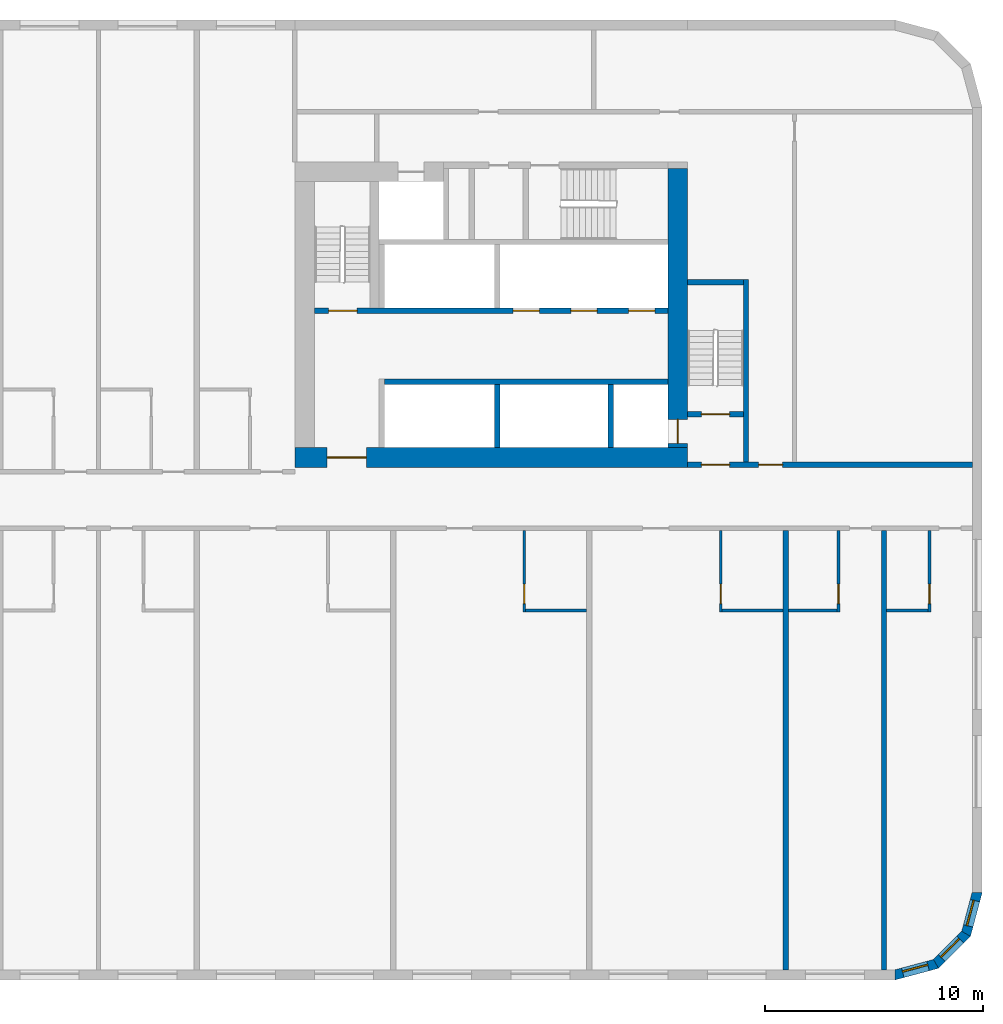
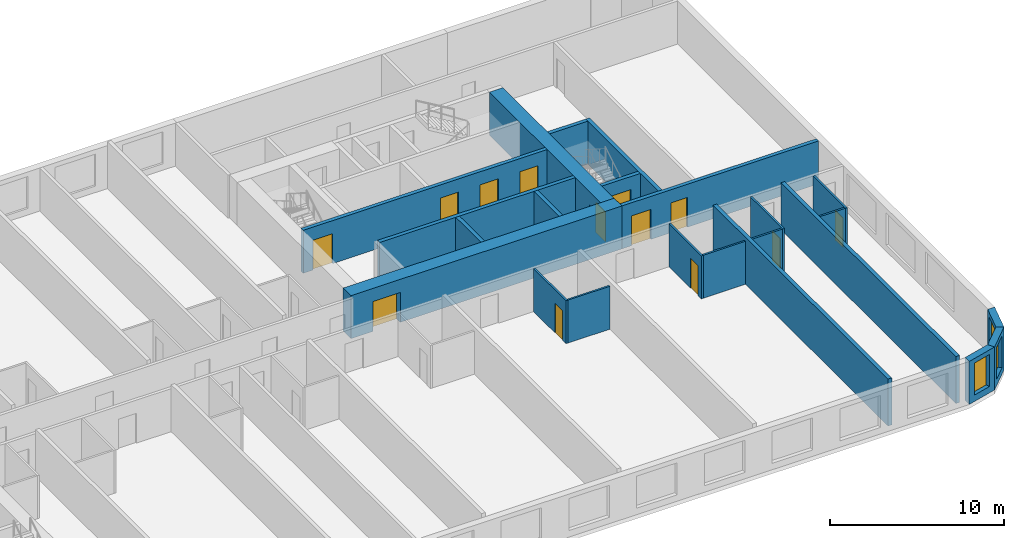
# One storey, part 7 of 12: 23 walls, 13 doors, 3 windows, 16 openings.
"""IFC4 building model written with IfcOpenShell, lengths in metres."""

from ifc_helpers import new_model, si_unit, direction, frame, frame_2d, origin, place, context, subcontext, project, spatial, polyline, rectangle, outline, extrude, material, layer, layer_set, type_object, element, fill, save


model = new_model("IFC4")

# Units and contexts
model_context = context("Model", 3, precision=1e-05, world=origin(), true_north=direction((0.0, 1.0)))
body_context = subcontext(model_context, "Body", "Model", "MODEL_VIEW")
ifc_project = project(units=[si_unit("LENGTHUNIT", "METRE"), si_unit("AREAUNIT", "SQUARE_METRE"), si_unit("VOLUMEUNIT", "CUBIC_METRE"), si_unit("PLANEANGLEUNIT", "RADIAN"), si_unit("MASSUNIT", "GRAM", prefix="KILO")], contexts=[model_context])

# Site, building, storey
site_placement = place(None, origin())
site = spatial("IfcSite", under=ifc_project, at=site_placement, CompositionType="ELEMENT")
building_placement = place(site_placement, origin())
building = spatial("IfcBuilding", under=site, at=building_placement, Name="Kajstack Hotel Tower", CompositionType="ELEMENT")
storey_placement = place(building_placement, frame((0.0, 0.0, 63.300048828125)))
storey = spatial("IfcBuildingStorey", under=building, at=storey_placement, Name="L10", CompositionType="ELEMENT", Elevation=63.300048828125)

# Wall, opening, door
ifc_material_1 = material(Name="Concrete C60/75", Category="concrete")
ifc_layer_1 = layer(ifc_material_1, 0.89990234375)
ifc_layer_set_1 = layer_set([ifc_layer_1], Name="Core wall 900")
wall_type_1 = type_object("IfcWallType", Name="Core wall 900", PredefinedType="SHEAR", material=ifc_layer_set_1)
wall_1_placement = place(storey_placement, frame((13.5, 1.949951171875, 0.0), z_axis=(0.0, 0.0, 1.0), x_axis=(1.0, 0.0, 0.0)))
wall_1 = element("IfcWall", 1, at=wall_1_placement, inside=storey, type_object=wall_type_1, Name="Core wall E RN", PredefinedType="SHEAR", context=body_context, shape_type="SweptSolid", body=[
    extrude(rectangle(XDim=18.0, YDim=0.89990234375, at=frame_2d((9.0, 0.0))), origin(), (0.0, 0.0, 1.0), 3.02001953125),
])
opening_1_placement = place(wall_1_placement, frame((1.47509765625, 0.0, 0.0)))
opening_1 = element("IfcOpeningElement", 2, at=opening_1_placement, cuts=wall_1, Name="Opening 10E06", PredefinedType="OPENING", context=body_context, shape_type="SweptSolid", body=[
    extrude(rectangle(XDim=1.800048828125, YDim=2.10009765625, at=frame_2d((0.89990234375, 1.050048828125))), frame((0.0, 0.4599609375, 0.0), z_axis=(0.0, -1.0, 0.0), x_axis=(1.0, 0.0, 0.0)), (0.0, 0.0, 1.0), 0.919921875),
])
ifc_material_2 = material(Name="Glazed steel frame, fire-rated glass", Category="steel")
door_type_1 = type_object("IfcDoorType", Name="Lobby double door 1800", OperationType="DOUBLE_DOOR_DOUBLE_SWING", PredefinedType="DOOR", material=ifc_material_2)
door_1_placement = place(opening_1_placement, origin())
door_1 = element("IfcDoor", 3, at=door_1_placement, inside=storey, type_object=door_type_1, Name="Door 10E06", OperationType="DOUBLE_DOOR_DOUBLE_SWING", OverallHeight=2.10009765625, OverallWidth=1.800048828125, PredefinedType="DOOR", context=body_context, shape_type="SweptSolid", body=[
    extrude(rectangle(XDim=1.800048828125, YDim=2.10009765625, at=frame_2d((0.89990234375, 1.050048828125))), frame((0.0, 0.02490234375, 0.0), z_axis=(0.0, -1.0, 0.0), x_axis=(1.0, 0.0, 0.0)), (0.0, 0.0, 1.0), 0.050048828125),
])
fill(opening_1, door_1)

wall_2_placement = place(storey_placement, frame((31.050048828125, 2.39990234375, 0.0), z_axis=(0.0, 0.0, 1.0), x_axis=(0.0, 1.0, 0.0)))
wall_2 = element("IfcWall", 4, at=wall_2_placement, inside=storey, type_object=wall_type_1, Name="Core wall E RW", PredefinedType="SHEAR", context=body_context, shape_type="SweptSolid", body=[
    extrude(rectangle(XDim=12.800048828125, YDim=0.89990234375, at=frame_2d((6.39990234375, 0.0))), origin(), (0.0, 0.0, 1.0), 3.02001953125),
])
opening_2_placement = place(wall_2_placement, frame((0.199951171875, 0.0, 0.0)))
opening_2 = element("IfcOpeningElement", 5, at=opening_2_placement, cuts=wall_2, Name="Opening LD-FF2", PredefinedType="OPENING", context=body_context, shape_type="SweptSolid", body=[
    extrude(rectangle(XDim=1.10009765625, YDim=2.10009765625, at=frame_2d((0.550048828125, 1.050048828125))), frame((0.0, 0.4599609375, 0.0), z_axis=(0.0, -1.0, 0.0), x_axis=(1.0, 0.0, 0.0)), (0.0, 0.0, 1.0), 0.919921875),
])
ifc_material_3 = material(Name="Stainless steel", Category="steel")
door_type_2 = type_object("IfcDoorType", Name="Fire-fighting lift landing door 1100", OperationType="SLIDING_TO_LEFT", PredefinedType="DOOR", material=ifc_material_3)
door_2_placement = place(opening_2_placement, origin())
door_2 = element("IfcDoor", 6, at=door_2_placement, inside=storey, type_object=door_type_2, Name="Landing door FF2", OperationType="SLIDING_TO_LEFT", OverallHeight=2.10009765625, OverallWidth=1.10009765625, PredefinedType="DOOR", context=body_context, shape_type="SweptSolid", body=[
    extrude(rectangle(XDim=1.10009765625, YDim=2.10009765625, at=frame_2d((0.550048828125, 1.050048828125))), frame((0.0, 0.02490234375, 0.0), z_axis=(0.0, -1.0, 0.0), x_axis=(1.0, 0.0, 0.0)), (0.0, 0.0, 1.0), 0.050048828125),
])
fill(opening_2, door_2)

# Wall, opening, window
ifc_material_4 = material(Name="Terracotta-faced brick masonry", Category="masonry")
ifc_layer_2 = layer(ifc_material_4, 0.449951171875)
ifc_layer_set_2 = layer_set([ifc_layer_2], Name="EW-TERRA")
wall_type_2 = type_object("IfcWallType", Name="EW-TERRA", PredefinedType="SOLIDWALL", material=ifc_layer_set_2)
wall_3_placement = place(storey_placement, frame((40.941650390625, -21.78271484375, 0.0), z_axis=(0.0, 0.0, 1.0), x_axis=(0.965926999034, 0.25881466832, 0.0)))
wall_3 = element("IfcWall", 7, at=wall_3_placement, inside=storey, type_object=wall_type_2, Name="E-wall-L10-04-00", PredefinedType="SOLIDWALL", context=body_context, shape_type="SweptSolid", body=[
    extrude(outline(polyline([(0.000244140625, -0.22509765625), (2.070556640625, -0.224853515625), (1.9501953125, 0.22509765625), (0.12060546875, 0.22509765625), (0.000244140625, -0.22509765625)])), origin(), (0.0, 0.0, 1.0), 3.02001953125),
])
opening_3_placement = place(wall_3_placement, frame((0.435302734375, 0.0, 0.449951171875)))
opening_3 = element("IfcOpeningElement", 8, at=opening_3_placement, cuts=wall_3, Name="Opening W3", PredefinedType="OPENING", context=body_context, shape_type="SweptSolid", body=[
    extrude(rectangle(XDim=1.199951171875, YDim=2.25, at=frame_2d((0.60009765625, 1.125))), frame((0.0, 0.23486328125, 0.0), z_axis=(0.0, -1.0, 0.0), x_axis=(1.0, 0.0, 0.0)), (0.0, 0.0, 1.0), 0.469970703125),
])
ifc_material_5 = material(Name="Timber-aluminium window, triple glazed", Category="wood")
window_type = type_object("IfcWindowType", Name="WG3", PartitioningType="SINGLE_PANEL", PredefinedType="WINDOW", material=ifc_material_5)
window_1_placement = place(opening_3_placement, origin())
window_1 = element("IfcWindow", 9, at=window_1_placement, inside=storey, type_object=window_type, Name="Window W3 L10-04", OverallHeight=2.25, OverallWidth=1.199951171875, PartitioningType="SINGLE_PANEL", PredefinedType="WINDOW", context=body_context, shape_type="SweptSolid", body=[
    extrude(rectangle(XDim=1.199951171875, YDim=2.25, at=frame_2d((0.60009765625, 1.125))), frame((0.0, 0.090087890625, 0.0), z_axis=(0.0, -1.0, 0.0), x_axis=(1.0, 0.0, 0.0)), (0.0, 0.0, 1.0), 0.06005859375),
])
fill(opening_3, window_1)

wall_4_placement = place(storey_placement, frame((42.8408203125, -21.304931640625, 0.0), z_axis=(0.0, 0.0, 1.0), x_axis=(0.707106781187, 0.707106781187, 0.0)))
wall_4 = element("IfcWall", 10, at=wall_4_placement, inside=storey, type_object=wall_type_2, Name="E-wall-L10-05-00", PredefinedType="SOLIDWALL", context=body_context, shape_type="SweptSolid", body=[
    extrude(outline(polyline([(0.0, -0.22509765625), (2.070556640625, -0.22509765625), (1.949951171875, 0.224853515625), (0.12060546875, 0.224853515625), (0.0, -0.22509765625)])), origin(), (0.0, 0.0, 1.0), 3.02001953125),
])
opening_4_placement = place(wall_4_placement, frame((0.435302734375, 0.0, 0.449951171875)))
opening_4 = element("IfcOpeningElement", 11, at=opening_4_placement, cuts=wall_4, Name="Opening W3", PredefinedType="OPENING", context=body_context, shape_type="SweptSolid", body=[
    extrude(rectangle(XDim=1.199951171875, YDim=2.25, at=frame_2d((0.60009765625, 1.125))), frame((0.0, 0.23486328125, 0.0), z_axis=(0.0, -1.0, 0.0), x_axis=(1.0, 0.0, 0.0)), (0.0, 0.0, 1.0), 0.469970703125),
])
window_2_placement = place(opening_4_placement, origin())
window_2 = element("IfcWindow", 12, at=window_2_placement, inside=storey, type_object=window_type, Name="Window W3 L10-05", OverallHeight=2.25, OverallWidth=1.199951171875, PartitioningType="SINGLE_PANEL", PredefinedType="WINDOW", context=body_context, shape_type="SweptSolid", body=[
    extrude(rectangle(XDim=1.199951171875, YDim=2.25, at=frame_2d((0.60009765625, 1.125))), frame((0.0, 0.090087890625, 0.0), z_axis=(0.0, -1.0, 0.0), x_axis=(1.0, 0.0, 0.0)), (0.0, 0.0, 1.0), 0.06005859375),
])
fill(opening_4, window_2)

wall_5_placement = place(storey_placement, frame((44.246826171875, -19.941650390625, 0.0), z_axis=(0.0, 0.0, 1.0), x_axis=(0.25881466832, 0.965926999034, 0.0)))
wall_5 = element("IfcWall", 13, at=wall_5_placement, inside=storey, type_object=wall_type_2, Name="E-wall-L10-06-00", PredefinedType="SOLIDWALL", context=body_context, shape_type="SweptSolid", body=[
    extrude(outline(polyline([(-0.000244140625, -0.224853515625), (2.0703125, -0.22509765625), (1.949951171875, 0.22509765625), (0.120361328125, 0.22509765625), (-0.000244140625, -0.224853515625)])), origin(), (0.0, 0.0, 1.0), 3.02001953125),
])
opening_5_placement = place(wall_5_placement, frame((0.435302734375, 0.0, 0.449951171875)))
opening_5 = element("IfcOpeningElement", 14, at=opening_5_placement, cuts=wall_5, Name="Opening W3", PredefinedType="OPENING", context=body_context, shape_type="SweptSolid", body=[
    extrude(rectangle(XDim=1.199951171875, YDim=2.25, at=frame_2d((0.60009765625, 1.125))), frame((0.0, 0.23486328125, 0.0), z_axis=(0.0, -1.0, 0.0), x_axis=(1.0, 0.0, 0.0)), (0.0, 0.0, 1.0), 0.469970703125),
])
window_3_placement = place(opening_5_placement, origin())
window_3 = element("IfcWindow", 15, at=window_3_placement, inside=storey, type_object=window_type, Name="Window W3 L10-06", OverallHeight=2.25, OverallWidth=1.199951171875, PartitioningType="SINGLE_PANEL", PredefinedType="WINDOW", context=body_context, shape_type="SweptSolid", body=[
    extrude(rectangle(XDim=1.199951171875, YDim=2.25, at=frame_2d((0.60009765625, 1.125))), frame((0.0, 0.090087890625, 0.0), z_axis=(0.0, -1.0, 0.0), x_axis=(1.0, 0.0, 0.0)), (0.0, 0.0, 1.0), 0.06005859375),
])
fill(opening_5, window_3)

# Wall, opening, door
ifc_material_6 = material(Name="Gypsum board and tiled backer on steel studs", Category="steel")
ifc_layer_3 = layer(ifc_material_6, 0.125)
ifc_layer_set_3 = layer_set([ifc_layer_3], Name="En-suite wall 125")
wall_type_3 = type_object("IfcWallType", Name="En-suite wall 125", PredefinedType="PARTITIONING", material=ifc_layer_set_3)
wall_6_placement = place(storey_placement, frame((24.011962890625, -5.125, 0.0), z_axis=(0.0, 0.0, 1.0), x_axis=(0.0, 1.0, 0.0)))
wall_6 = element("IfcWall", 16, at=wall_6_placement, inside=storey, type_object=wall_type_3, Name="G-wall-L10-038", PredefinedType="PARTITIONING", context=body_context, shape_type="SweptSolid", body=[
    extrude(rectangle(XDim=3.72509765625, YDim=0.125, at=frame_2d((1.862548828125, 0.0))), origin(), (0.0, 0.0, 1.0), 3.02001953125),
])
opening_6_placement = place(wall_6_placement, frame((0.375, 0.0, 0.0)))
opening_6 = element("IfcOpeningElement", 17, at=opening_6_placement, cuts=wall_6, Name="Opening 10032", PredefinedType="OPENING", context=body_context, shape_type="SweptSolid", body=[
    extrude(rectangle(XDim=0.89990234375, YDim=2.10009765625, at=frame_2d((0.449951171875, 1.050048828125))), frame((0.0, 0.072509765625, 0.0), z_axis=(0.0, -1.0, 0.0), x_axis=(1.0, 0.0, 0.0)), (0.0, 0.0, 1.0), 0.14501953125),
])
ifc_material_7 = material(Name="Painted timber door leaf", Category="wood")
door_type_3 = type_object("IfcDoorType", Name="Room door 900", OperationType="SINGLE_SWING_LEFT", PredefinedType="DOOR", material=ifc_material_7)
door_3_placement = place(opening_6_placement, origin())
door_3 = element("IfcDoor", 18, at=door_3_placement, inside=storey, type_object=door_type_3, Name="G-door-L10-32", OperationType="SINGLE_SWING_RIGHT", OverallHeight=2.10009765625, OverallWidth=0.89990234375, PredefinedType="DOOR", context=body_context, shape_type="SweptSolid", body=[
    extrude(rectangle(XDim=0.89990234375, YDim=2.10009765625, at=frame_2d((0.449951171875, 1.050048828125))), frame((0.0, 0.02490234375, 0.0), z_axis=(0.0, -1.0, 0.0), x_axis=(1.0, 0.0, 0.0)), (0.0, 0.0, 1.0), 0.050048828125),
])
fill(opening_6, door_3)

# Wall
wall_7_placement = place(storey_placement, frame((24.074951171875, -5.06201171875, 0.0), z_axis=(0.0, 0.0, 1.0), x_axis=(1.0, 0.0, 0.0)))
element("IfcWall", 19, at=wall_7_placement, inside=storey, type_object=wall_type_3, Name="G-wall-L10-039", PredefinedType="PARTITIONING", context=body_context, shape_type="SweptSolid", body=[
    extrude(rectangle(XDim=2.800048828125, YDim=0.125, at=frame_2d((1.39990234375, 0.0))), origin(), (0.0, 0.0, 1.0), 3.02001953125),
])

# Wall, opening, door
wall_8_placement = place(storey_placement, frame((33.012939453125, -5.125, 0.0), z_axis=(0.0, 0.0, 1.0), x_axis=(0.0, 1.0, 0.0)))
wall_8 = element("IfcWall", 20, at=wall_8_placement, inside=storey, type_object=wall_type_3, Name="G-wall-L10-040", PredefinedType="PARTITIONING", context=body_context, shape_type="SweptSolid", body=[
    extrude(rectangle(XDim=3.72509765625, YDim=0.125, at=frame_2d((1.862548828125, 0.0))), origin(), (0.0, 0.0, 1.0), 3.02001953125),
])
opening_7_placement = place(wall_8_placement, frame((0.375, 0.0, 0.0)))
opening_7 = element("IfcOpeningElement", 21, at=opening_7_placement, cuts=wall_8, Name="Opening 10034", PredefinedType="OPENING", context=body_context, shape_type="SweptSolid", body=[
    extrude(rectangle(XDim=0.89990234375, YDim=2.10009765625, at=frame_2d((0.449951171875, 1.050048828125))), frame((0.0, 0.072509765625, 0.0), z_axis=(0.0, -1.0, 0.0), x_axis=(1.0, 0.0, 0.0)), (0.0, 0.0, 1.0), 0.14501953125),
])
door_4_placement = place(opening_7_placement, origin())
door_4 = element("IfcDoor", 22, at=door_4_placement, inside=storey, type_object=door_type_3, Name="G-door-L10-34", OperationType="SINGLE_SWING_RIGHT", OverallHeight=2.10009765625, OverallWidth=0.89990234375, PredefinedType="DOOR", context=body_context, shape_type="SweptSolid", body=[
    extrude(rectangle(XDim=0.89990234375, YDim=2.10009765625, at=frame_2d((0.449951171875, 1.050048828125))), frame((0.0, 0.02490234375, 0.0), z_axis=(0.0, -1.0, 0.0), x_axis=(1.0, 0.0, 0.0)), (0.0, 0.0, 1.0), 0.050048828125),
])
fill(opening_7, door_4)

# Wall
wall_9_placement = place(storey_placement, frame((33.074951171875, -5.06201171875, 0.0), z_axis=(0.0, 0.0, 1.0), x_axis=(1.0, 0.0, 0.0)))
element("IfcWall", 23, at=wall_9_placement, inside=storey, type_object=wall_type_3, Name="G-wall-L10-041", PredefinedType="PARTITIONING", context=body_context, shape_type="SweptSolid", body=[
    extrude(rectangle(XDim=2.800048828125, YDim=0.125, at=frame_2d((1.39990234375, 0.0))), origin(), (0.0, 0.0, 1.0), 3.02001953125),
])

# Wall, opening, door
wall_10_placement = place(storey_placement, frame((38.4130859375, -5.125, 0.0), z_axis=(0.0, 0.0, 1.0), x_axis=(0.0, 1.0, 0.0)))
wall_10 = element("IfcWall", 24, at=wall_10_placement, inside=storey, type_object=wall_type_3, Name="G-wall-L10-042", PredefinedType="PARTITIONING", context=body_context, shape_type="SweptSolid", body=[
    extrude(rectangle(XDim=3.72509765625, YDim=0.125, at=frame_2d((1.862548828125, 0.0))), origin(), (0.0, 0.0, 1.0), 3.02001953125),
])
opening_8_placement = place(wall_10_placement, frame((0.375, 0.0, 0.0)))
opening_8 = element("IfcOpeningElement", 25, at=opening_8_placement, cuts=wall_10, Name="Opening 10036", PredefinedType="OPENING", context=body_context, shape_type="SweptSolid", body=[
    extrude(rectangle(XDim=0.89990234375, YDim=2.10009765625, at=frame_2d((0.449951171875, 1.050048828125))), frame((0.0, 0.072509765625, 0.0), z_axis=(0.0, -1.0, 0.0), x_axis=(1.0, 0.0, 0.0)), (0.0, 0.0, 1.0), 0.14501953125),
])
door_5_placement = place(opening_8_placement, origin())
door_5 = element("IfcDoor", 26, at=door_5_placement, inside=storey, type_object=door_type_3, Name="G-door-L10-36", OperationType="SINGLE_SWING_RIGHT", OverallHeight=2.10009765625, OverallWidth=0.89990234375, PredefinedType="DOOR", context=body_context, shape_type="SweptSolid", body=[
    extrude(rectangle(XDim=0.89990234375, YDim=2.10009765625, at=frame_2d((0.449951171875, 1.050048828125))), frame((0.0, 0.02490234375, 0.0), z_axis=(0.0, -1.0, 0.0), x_axis=(1.0, 0.0, 0.0)), (0.0, 0.0, 1.0), 0.050048828125),
])
fill(opening_8, door_5)

# Wall
wall_11_placement = place(storey_placement, frame((36.125, -5.06201171875, 0.0), z_axis=(0.0, 0.0, 1.0), x_axis=(1.0, 0.0, 0.0)))
element("IfcWall", 27, at=wall_11_placement, inside=storey, type_object=wall_type_3, Name="G-wall-L10-043", PredefinedType="PARTITIONING", context=body_context, shape_type="SweptSolid", body=[
    extrude(rectangle(XDim=2.22509765625, YDim=0.125, at=frame_2d((1.112548828125, 0.0))), origin(), (0.0, 0.0, 1.0), 3.02001953125),
])

# Wall, opening, door
wall_12_placement = place(storey_placement, frame((42.5869140625, -5.125, 0.0), z_axis=(0.0, 0.0, 1.0), x_axis=(0.0, 1.0, 0.0)))
wall_12 = element("IfcWall", 28, at=wall_12_placement, inside=storey, type_object=wall_type_3, Name="G-wall-L10-044", PredefinedType="PARTITIONING", context=body_context, shape_type="SweptSolid", body=[
    extrude(rectangle(XDim=3.72509765625, YDim=0.125, at=frame_2d((1.862548828125, 0.0))), origin(), (0.0, 0.0, 1.0), 3.02001953125),
])
opening_9_placement = place(wall_12_placement, frame((0.375, 0.0, 0.0)))
opening_9 = element("IfcOpeningElement", 29, at=opening_9_placement, cuts=wall_12, Name="Opening 10038", PredefinedType="OPENING", context=body_context, shape_type="SweptSolid", body=[
    extrude(rectangle(XDim=0.89990234375, YDim=2.10009765625, at=frame_2d((0.449951171875, 1.050048828125))), frame((0.0, 0.072509765625, 0.0), z_axis=(0.0, -1.0, 0.0), x_axis=(1.0, 0.0, 0.0)), (0.0, 0.0, 1.0), 0.14501953125),
])
door_6_placement = place(opening_9_placement, origin())
door_6 = element("IfcDoor", 30, at=door_6_placement, inside=storey, type_object=door_type_3, Name="G-door-L10-38", OperationType="SINGLE_SWING_LEFT", OverallHeight=2.10009765625, OverallWidth=0.89990234375, PredefinedType="DOOR", context=body_context, shape_type="SweptSolid", body=[
    extrude(rectangle(XDim=0.89990234375, YDim=2.10009765625, at=frame_2d((0.449951171875, 1.050048828125))), frame((0.0, 0.02490234375, 0.0), z_axis=(0.0, -1.0, 0.0), x_axis=(1.0, 0.0, 0.0)), (0.0, 0.0, 1.0), 0.050048828125),
])
fill(opening_9, door_6)

# Walls
wall_13_placement = place(storey_placement, frame((40.625, -5.06201171875, 0.0), z_axis=(0.0, 0.0, 1.0), x_axis=(1.0, 0.0, 0.0)))
element("IfcWall", 31, at=wall_13_placement, inside=storey, type_object=wall_type_3, Name="G-wall-L10-045", PredefinedType="PARTITIONING", context=body_context, shape_type="SweptSolid", body=[
    extrude(rectangle(XDim=1.89990234375, YDim=0.125, at=frame_2d((0.949951171875, 0.0))), origin(), (0.0, 0.0, 1.0), 3.02001953125),
])
ifc_material_8 = material(Name="Concrete C50/60", Category="concrete")
ifc_layer_4 = layer(ifc_material_8, 0.300048828125)
ifc_layer_set_4 = layer_set([ifc_layer_4], Name="Hoistway divider wall 300")
wall_type_4 = type_object("IfcWallType", Name="Hoistway divider wall 300", PredefinedType="SHEAR", material=ifc_layer_set_4)
wall_14_placement = place(storey_placement, frame((22.77490234375, 2.39990234375, 0.0), z_axis=(0.0, 0.0, 1.0), x_axis=(0.0, 1.0, 0.0)))
element("IfcWall", 32, at=wall_14_placement, inside=storey, type_object=wall_type_4, Name="Core wall E AP2", PredefinedType="SHEAR", context=body_context, shape_type="SweptSolid", body=[
    extrude(rectangle(XDim=2.900146484375, YDim=0.25, at=frame_2d((1.4501953125, 0.0))), origin(), (0.0, 0.0, 1.0), 3.02001953125),
])
ifc_layer_5 = layer(ifc_material_1, 0.25)
ifc_layer_set_5 = layer_set([ifc_layer_5], Name="RC cross wall 250 C60/75")
wall_type_5 = type_object("IfcWallType", Name="RC cross wall 250 C60/75", PredefinedType="SHEAR", material=ifc_layer_set_5)
for number, where, z_axis, x_axis, name in (
    (33, (36.0, -21.5400390625, 0.0), (0.0, 0.0, 1.0), (0.0, 1.0, 0.0), "S-wall-L10-13"),
    (34, (40.5, -21.5400390625, 0.0), (0.0, 0.0, 1.0), (0.0, 1.0, 0.0), "S-wall-L10-14"),
):
    element("IfcWall", number, at=place(storey_placement, frame(where, z_axis=z_axis, x_axis=x_axis)), inside=storey, type_object=wall_type_5, Name=name, PredefinedType="SHEAR", context=body_context, shape_type="SweptSolid", body=[
        extrude(rectangle(XDim=20.14013671875, YDim=0.25, at=frame_2d((10.070068359375, 0.0))), origin(), (0.0, 0.0, 1.0), 3.300048828125),
    ])

# Wall, openings, doors
ifc_material_9 = material(Name="Gypsum board on steel studs, mineral wool", Category="steel")
ifc_layer_6 = layer(ifc_material_9, 0.199951171875)
ifc_layer_set_6 = layer_set([ifc_layer_6], Name="Service partition 200")
wall_type_6 = type_object("IfcWallType", Name="Service partition 200", PredefinedType="PARTITIONING", material=ifc_layer_set_6)
wall_15_placement = place(storey_placement, frame((31.5, 1.625, 0.0), z_axis=(0.0, 0.0, 1.0), x_axis=(1.0, 0.0, 0.0)))
wall_15 = element("IfcWall", 35, at=wall_15_placement, inside=storey, type_object=wall_type_6, Name="Partition E SN", PredefinedType="PARTITIONING", context=body_context, shape_type="SweptSolid", body=[
    extrude(rectangle(XDim=13.050048828125, YDim=0.25, at=frame_2d((6.52490234375, 0.0))), origin(), (0.0, 0.0, 1.0), 3.02001953125),
])
opening_10_placement = place(wall_15_placement, frame((0.625, 0.0, 0.0)))
opening_10 = element("IfcOpeningElement", 36, at=opening_10_placement, cuts=wall_15, Name="Opening 10E07", PredefinedType="OPENING", context=body_context, shape_type="SweptSolid", body=[
    extrude(rectangle(XDim=1.300048828125, YDim=2.10009765625, at=frame_2d((0.64990234375, 1.050048828125))), frame((0.0, 0.135009765625, 0.0), z_axis=(0.0, -1.0, 0.0), x_axis=(1.0, 0.0, 0.0)), (0.0, 0.0, 1.0), 0.27001953125),
])
opening_11_placement = place(wall_15_placement, frame((3.25, 0.0, 0.0)))
opening_11 = element("IfcOpeningElement", 37, at=opening_11_placement, cuts=wall_15, Name="Opening 10E09", PredefinedType="OPENING", context=body_context, shape_type="SweptSolid", body=[
    extrude(rectangle(XDim=1.10009765625, YDim=2.10009765625, at=frame_2d((0.550048828125, 1.050048828125))), frame((0.0, 0.135009765625, 0.0), z_axis=(0.0, -1.0, 0.0), x_axis=(1.0, 0.0, 0.0)), (0.0, 0.0, 1.0), 0.27001953125),
])
ifc_material_10 = material(Name="Steel leaf, fire-rated", Category="steel")
door_type_4 = type_object("IfcDoorType", Name="Fire lobby door 1300", OperationType="SINGLE_SWING_LEFT", PredefinedType="DOOR", material=ifc_material_10)
door_7_placement = place(opening_10_placement, origin())
door_7 = element("IfcDoor", 38, at=door_7_placement, inside=storey, type_object=door_type_4, Name="Door 10E07", OperationType="SINGLE_SWING_LEFT", OverallHeight=2.10009765625, OverallWidth=1.300048828125, PredefinedType="DOOR", context=body_context, shape_type="SweptSolid", body=[
    extrude(rectangle(XDim=1.300048828125, YDim=2.10009765625, at=frame_2d((0.64990234375, 1.050048828125))), frame((0.0, 0.02490234375, 0.0), z_axis=(0.0, -1.0, 0.0), x_axis=(1.0, 0.0, 0.0)), (0.0, 0.0, 1.0), 0.050048828125),
])
fill(opening_10, door_7)
ifc_material_11 = material(Name="Timber leaf, fire-rated", Category="wood")
door_type_5 = type_object("IfcDoorType", Name="Service corridor door 1100", OperationType="SINGLE_SWING_LEFT", PredefinedType="DOOR", material=ifc_material_11)
door_8_placement = place(opening_11_placement, origin())
door_8 = element("IfcDoor", 39, at=door_8_placement, inside=storey, type_object=door_type_5, Name="Door 10E09", OperationType="SINGLE_SWING_LEFT", OverallHeight=2.10009765625, OverallWidth=1.10009765625, PredefinedType="DOOR", context=body_context, shape_type="SweptSolid", body=[
    extrude(rectangle(XDim=1.10009765625, YDim=2.10009765625, at=frame_2d((0.550048828125, 1.050048828125))), frame((0.0, 0.02490234375, 0.0), z_axis=(0.0, -1.0, 0.0), x_axis=(1.0, 0.0, 0.0)), (0.0, 0.0, 1.0), 0.050048828125),
])
fill(opening_11, door_8)

# Walls
ifc_layer_7 = layer(ifc_material_8, 0.25)
ifc_layer_set_7 = layer_set([ifc_layer_7], Name="Shaft wall 250")
wall_type_7 = type_object("IfcWallType", Name="Shaft wall 250", PredefinedType="SHEAR", material=ifc_layer_set_7)
wall_16_placement = place(storey_placement, frame((17.60009765625, 5.425048828125, 0.0), z_axis=(0.0, 0.0, 1.0), x_axis=(1.0, 0.0, 0.0)))
element("IfcWall", 40, at=wall_16_placement, inside=storey, type_object=wall_type_7, Name="Core wall E FA", PredefinedType="SHEAR", context=body_context, shape_type="SweptSolid", body=[
    extrude(rectangle(XDim=13.0, YDim=0.25, at=frame_2d((6.5, 0.0))), origin(), (0.0, 0.0, 1.0), 3.02001953125),
])
wall_17_placement = place(storey_placement, frame((27.97509765625, 2.39990234375, 0.0), z_axis=(0.0, 0.0, 1.0), x_axis=(0.0, 1.0, 0.0)))
element("IfcWall", 41, at=wall_17_placement, inside=storey, type_object=wall_type_7, Name="Core wall E AP0", PredefinedType="SHEAR", context=body_context, shape_type="SweptSolid", body=[
    extrude(rectangle(XDim=2.900146484375, YDim=0.25, at=frame_2d((1.4501953125, 0.0))), origin(), (0.0, 0.0, 1.0), 3.02001953125),
])

# Wall, openings, doors
wall_18_placement = place(storey_placement, frame((14.39990234375, 8.675048828125, 0.0), z_axis=(0.0, 0.0, 1.0), x_axis=(1.0, 0.0, 0.0)))
wall_18 = element("IfcWall", 42, at=wall_18_placement, inside=storey, type_object=wall_type_7, Name="Core wall E FB", PredefinedType="SHEAR", context=body_context, shape_type="SweptSolid", body=[
    extrude(rectangle(XDim=16.2001953125, YDim=0.25, at=frame_2d((8.10009765625, 0.0))), origin(), (0.0, 0.0, 1.0), 3.02001953125),
])
opening_12_placement = place(wall_18_placement, frame((14.39990234375, 0.0, 0.0)))
opening_12 = element("IfcOpeningElement", 43, at=opening_12_placement, cuts=wall_18, Name="Opening LD-LR4", PredefinedType="OPENING", context=body_context, shape_type="SweptSolid", body=[
    extrude(rectangle(XDim=1.199951171875, YDim=2.10009765625, at=frame_2d((0.60009765625, 1.050048828125))), frame((0.0, 0.135009765625, 0.0), z_axis=(0.0, -1.0, 0.0), x_axis=(1.0, 0.0, 0.0)), (0.0, 0.0, 1.0), 0.27001953125),
])
opening_13_placement = place(wall_18_placement, frame((11.75, 0.0, 0.0)))
opening_13 = element("IfcOpeningElement", 44, at=opening_13_placement, cuts=wall_18, Name="Opening LD-LR5", PredefinedType="OPENING", context=body_context, shape_type="SweptSolid", body=[
    extrude(rectangle(XDim=1.199951171875, YDim=2.10009765625, at=frame_2d((0.60009765625, 1.050048828125))), frame((0.0, 0.135009765625, 0.0), z_axis=(0.0, -1.0, 0.0), x_axis=(1.0, 0.0, 0.0)), (0.0, 0.0, 1.0), 0.27001953125),
])
opening_14_placement = place(wall_18_placement, frame((9.10009765625, 0.0, 0.0)))
opening_14 = element("IfcOpeningElement", 45, at=opening_14_placement, cuts=wall_18, Name="Opening LD-LR6", PredefinedType="OPENING", context=body_context, shape_type="SweptSolid", body=[
    extrude(rectangle(XDim=1.199951171875, YDim=2.10009765625, at=frame_2d((0.60009765625, 1.050048828125))), frame((0.0, 0.135009765625, 0.0), z_axis=(0.0, -1.0, 0.0), x_axis=(1.0, 0.0, 0.0)), (0.0, 0.0, 1.0), 0.27001953125),
])
opening_15_placement = place(wall_18_placement, frame((0.64990234375, 0.0, 0.0)))
opening_15 = element("IfcOpeningElement", 46, at=opening_15_placement, cuts=wall_18, Name="Opening 10E10", PredefinedType="OPENING", context=body_context, shape_type="SweptSolid", body=[
    extrude(rectangle(XDim=1.300048828125, YDim=2.10009765625, at=frame_2d((0.64990234375, 1.050048828125))), frame((0.0, 0.135009765625, 0.0), z_axis=(0.0, -1.0, 0.0), x_axis=(1.0, 0.0, 0.0)), (0.0, 0.0, 1.0), 0.27001953125),
])
door_type_6 = type_object("IfcDoorType", Name="Lift landing door 1200", OperationType="SLIDING_TO_LEFT", PredefinedType="DOOR", material=ifc_material_3)
door_9_placement = place(opening_12_placement, origin())
door_9 = element("IfcDoor", 47, at=door_9_placement, inside=storey, type_object=door_type_6, Name="Landing door LR4", OperationType="SLIDING_TO_LEFT", OverallHeight=2.10009765625, OverallWidth=1.199951171875, PredefinedType="DOOR", context=body_context, shape_type="SweptSolid", body=[
    extrude(rectangle(XDim=1.199951171875, YDim=2.10009765625, at=frame_2d((0.60009765625, 1.050048828125))), frame((0.0, 0.02490234375, 0.0), z_axis=(0.0, -1.0, 0.0), x_axis=(1.0, 0.0, 0.0)), (0.0, 0.0, 1.0), 0.050048828125),
])
fill(opening_12, door_9)
door_10_placement = place(opening_13_placement, origin())
door_10 = element("IfcDoor", 48, at=door_10_placement, inside=storey, type_object=door_type_6, Name="Landing door LR5", OperationType="SLIDING_TO_RIGHT", OverallHeight=2.10009765625, OverallWidth=1.199951171875, PredefinedType="DOOR", context=body_context, shape_type="SweptSolid", body=[
    extrude(rectangle(XDim=1.199951171875, YDim=2.10009765625, at=frame_2d((0.60009765625, 1.050048828125))), frame((0.0, 0.02490234375, 0.0), z_axis=(0.0, -1.0, 0.0), x_axis=(1.0, 0.0, 0.0)), (0.0, 0.0, 1.0), 0.050048828125),
])
fill(opening_13, door_10)
door_11_placement = place(opening_14_placement, origin())
door_11 = element("IfcDoor", 49, at=door_11_placement, inside=storey, type_object=door_type_6, Name="Landing door LR6", OperationType="SLIDING_TO_RIGHT", OverallHeight=2.10009765625, OverallWidth=1.199951171875, PredefinedType="DOOR", context=body_context, shape_type="SweptSolid", body=[
    extrude(rectangle(XDim=1.199951171875, YDim=2.10009765625, at=frame_2d((0.60009765625, 1.050048828125))), frame((0.0, 0.02490234375, 0.0), z_axis=(0.0, -1.0, 0.0), x_axis=(1.0, 0.0, 0.0)), (0.0, 0.0, 1.0), 0.050048828125),
])
fill(opening_14, door_11)
door_type_7 = type_object("IfcDoorType", Name="Stair door 1300", OperationType="SINGLE_SWING_LEFT", PredefinedType="DOOR", material=ifc_material_10)
door_12_placement = place(opening_15_placement, origin())
door_12 = element("IfcDoor", 50, at=door_12_placement, inside=storey, type_object=door_type_7, Name="Door 10E10", OperationType="SINGLE_SWING_LEFT", OverallHeight=2.10009765625, OverallWidth=1.300048828125, PredefinedType="DOOR", context=body_context, shape_type="SweptSolid", body=[
    extrude(rectangle(XDim=1.300048828125, YDim=2.10009765625, at=frame_2d((0.64990234375, 1.050048828125))), frame((0.0, 0.02490234375, 0.0), z_axis=(0.0, -1.0, 0.0), x_axis=(1.0, 0.0, 0.0)), (0.0, 0.0, 1.0), 0.050048828125),
])
fill(opening_15, door_12)

# Wall, opening, door
ifc_material_12 = material(Name="Concrete C40/50", Category="concrete")
ifc_layer_8 = layer(ifc_material_12, 0.25)
ifc_layer_set_8 = layer_set([ifc_layer_8], Name="Stair enclosure wall 250")
wall_type_8 = type_object("IfcWallType", Name="Stair enclosure wall 250", PredefinedType="SHEAR", material=ifc_layer_set_8)
wall_19_placement = place(storey_placement, frame((31.5, 3.925048828125, 0.0), z_axis=(0.0, 0.0, 1.0), x_axis=(1.0, 0.0, 0.0)))
wall_19 = element("IfcWall", 51, at=wall_19_placement, inside=storey, type_object=wall_type_8, Name="Core wall E W1N", PredefinedType="SHEAR", context=body_context, shape_type="SweptSolid", body=[
    extrude(rectangle(XDim=2.550048828125, YDim=0.25, at=frame_2d((1.27490234375, 0.0))), origin(), (0.0, 0.0, 1.0), 3.02001953125),
])
opening_16_placement = place(wall_19_placement, frame((0.625, 0.0, 0.0)))
opening_16 = element("IfcOpeningElement", 52, at=opening_16_placement, cuts=wall_19, Name="Opening 10E08", PredefinedType="OPENING", context=body_context, shape_type="SweptSolid", body=[
    extrude(rectangle(XDim=1.300048828125, YDim=2.10009765625, at=frame_2d((0.64990234375, 1.050048828125))), frame((0.0, 0.135009765625, 0.0), z_axis=(0.0, -1.0, 0.0), x_axis=(1.0, 0.0, 0.0)), (0.0, 0.0, 1.0), 0.27001953125),
])
door_13_placement = place(opening_16_placement, origin())
door_13 = element("IfcDoor", 53, at=door_13_placement, inside=storey, type_object=door_type_7, Name="Door 10E08", OperationType="SINGLE_SWING_LEFT", OverallHeight=2.10009765625, OverallWidth=1.300048828125, PredefinedType="DOOR", context=body_context, shape_type="SweptSolid", body=[
    extrude(rectangle(XDim=1.300048828125, YDim=2.10009765625, at=frame_2d((0.64990234375, 1.050048828125))), frame((0.0, 0.02490234375, 0.0), z_axis=(0.0, -1.0, 0.0), x_axis=(1.0, 0.0, 0.0)), (0.0, 0.0, 1.0), 0.050048828125),
])
fill(opening_16, door_13)

# Walls
wall_20_placement = place(storey_placement, frame((34.175048828125, 1.75, 0.0), z_axis=(0.0, 0.0, 1.0), x_axis=(0.0, 1.0, 0.0)))
element("IfcWall", 54, at=wall_20_placement, inside=storey, type_object=wall_type_8, Name="Core wall E W1W", PredefinedType="SHEAR", context=body_context, shape_type="SweptSolid", body=[
    extrude(rectangle(XDim=8.35009765625, YDim=0.25, at=frame_2d((4.175048828125, 0.0))), origin(), (0.0, 0.0, 1.0), 3.02001953125),
])
wall_21_placement = place(storey_placement, frame((31.5, 9.97509765625, 0.0), z_axis=(0.0, 0.0, 1.0), x_axis=(1.0, 0.0, 0.0)))
element("IfcWall", 55, at=wall_21_placement, inside=storey, type_object=wall_type_8, Name="Core wall E W1S", PredefinedType="SHEAR", context=body_context, shape_type="SweptSolid", body=[
    extrude(rectangle(XDim=2.550048828125, YDim=0.25, at=frame_2d((1.27490234375, 0.0))), origin(), (0.0, 0.0, 1.0), 3.02001953125),
])

save(model, "model.ifc")
